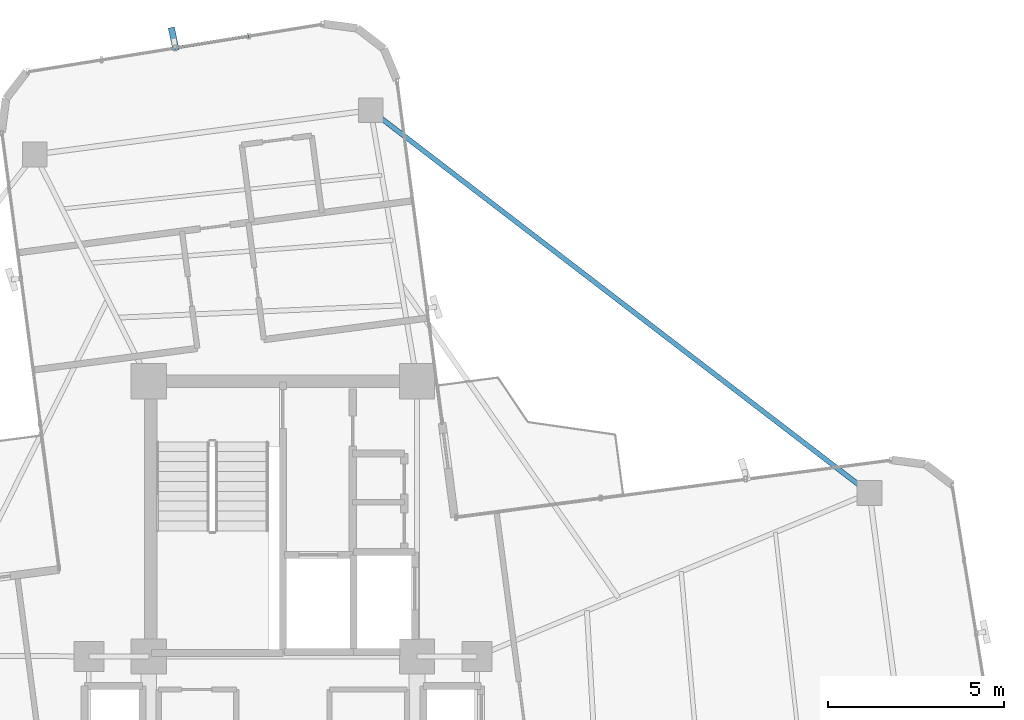
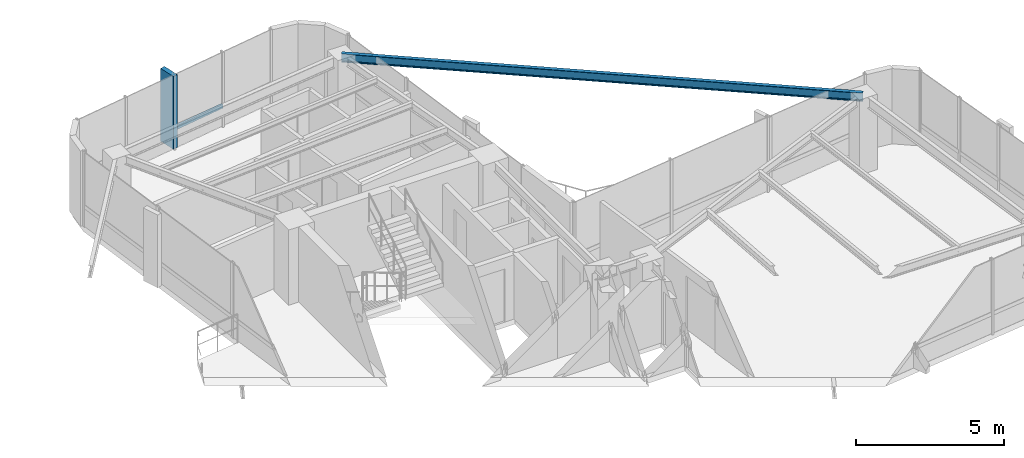
# One storey, part 14 of 21: 2 members, 1 beam, 1 element without a shape of its own.
"""IFC4 building model written with IfcOpenShell, lengths in metres."""

from ifc_helpers import new_model, si_unit, direction, frame, origin, origin_2d, place, context, subcontext, project, spatial, rectangle, hollow_rectangle, i_section, extrude, source, transform, mapped, material, material_profile, profile_set, type_object, element, aggregate, save


model = new_model("IFC4")

# Units and contexts
model_context = context("Model", 3, precision=1e-05, world=origin(), true_north=direction((0.0, 1.0)))
body_context = subcontext(model_context, "Body", "Model", "MODEL_VIEW")
ifc_project = project(units=[si_unit("LENGTHUNIT", "METRE"), si_unit("AREAUNIT", "SQUARE_METRE"), si_unit("VOLUMEUNIT", "CUBIC_METRE"), si_unit("PLANEANGLEUNIT", "RADIAN"), si_unit("MASSUNIT", "GRAM", prefix="KILO")], contexts=[model_context])

# Site, building, storey
site_placement = place(None, origin())
site = spatial("IfcSite", under=ifc_project, at=site_placement, CompositionType="ELEMENT")
building_placement = place(site_placement, origin())
building = spatial("IfcBuilding", under=site, at=building_placement, Name="Sahyath Konkavel Grand Hotel", CompositionType="ELEMENT")
storey_placement = place(building_placement, frame((0.0, 0.0, 213.199951171875)))
storey = spatial("IfcBuildingStorey", under=building, at=storey_placement, Name="L59", CompositionType="ELEMENT", Elevation=213.199951171875)

# Beam
ifc_material_1 = material(Name="Steel E350", Category="steel")
ifc_material_profile_1 = material_profile(ifc_material_1, i_section(OverallWidth=0.139892578125, OverallDepth=0.35009765625, WebThickness=0.008056640625, FlangeThickness=0.01416015625, FilletRadius=0.013916015625, at=origin_2d()), Name="ISMB 350")
ifc_profile_set_1 = profile_set([ifc_material_profile_1], Name="Steel E350")
beam_type = type_object("IfcBeamType", Name="BM-ISMB350", PredefinedType="BEAM", material=ifc_profile_set_1)
shared_shape_1 = source(origin(), body_context, "Body", "SweptSolid", [
    extrude(i_section(OverallWidth=0.139892578125, OverallDepth=0.35009765625, WebThickness=0.008056640625, FlangeThickness=0.01416015625, FilletRadius=0.013916015625, at=origin_2d()), origin(), (0.0, 0.0, 1.0), 17.819091796875),
])
beam_placement = place(storey_placement, frame((16.62451171875, 7.030029296875, 2.93505859375), z_axis=(-0.793348720932, 0.608767449027, 0.0), x_axis=(-0.608767449027, -0.793348720932, 0.0)))
element("IfcBeam", 1, at=beam_placement, inside=storey, type_object=beam_type, Name="L59 Re-Entrant Tie Beam NE", PredefinedType="BEAM", context=body_context, shape_type="MappedRepresentation", body=[
    mapped(shared_shape_1, transform((0.0, 0.0, 0.0), scale=1.0)),
])

# Curtain wall, members
ifc_material_2 = material(Name="Anodised Bronze Aluminium & Low-E Glazing", Category="aluminium")
curtain_wall_type = type_object("IfcCurtainWallType", Name="CW-ZONE4", PredefinedType="NOTDEFINED", material=ifc_material_2)
curtain_wall_placement = place(storey_placement, origin())
curtain_wall = element("IfcCurtainWall", 2, at=curtain_wall_placement, inside=storey, type_object=curtain_wall_type, Name="L59 Unitised Curtain Wall F12", PredefinedType="NOTDEFINED")
ifc_material_3 = material(Name="Warm Buff Sandstone Cladding on Concrete C50/60", Category="masonry")
ifc_material_profile_2 = material_profile(ifc_material_3, rectangle(XDim=0.179931640625, YDim=0.64990234375, at=origin_2d()), Name="FIN 180x650")
ifc_profile_set_2 = profile_set([ifc_material_profile_2], Name="Warm Buff Sandstone Cladding on Concrete C50/60")
member_type_1 = type_object("IfcMemberType", Name="FIN-SANDSTONE-650", PredefinedType="MULLION", material=ifc_profile_set_2)
shared_shape_2 = source(origin(), body_context, "Body", "SweptSolid", [
    extrude(rectangle(XDim=0.179931640625, YDim=0.64990234375, at=origin_2d()), origin(), (0.0, 0.0, 1.0), 3.010009765625),
])
member_1_placement = place(storey_placement, frame((-3.09423828125, 19.90234375, 0.050048828125), z_axis=(0.0, 0.0, 1.0), x_axis=(0.978508985102, 0.206204185397, 0.0)))
member_1 = element("IfcMember", 3, at=member_1_placement, type_object=member_type_1, Name="L59 Sandstone Vertical Solar Fin FIN F12-2", PredefinedType="MULLION", context=body_context, shape_type="MappedRepresentation", body=[
    mapped(shared_shape_2, transform((0.0, 0.0, 0.0), scale=1.0)),
])
ifc_material_4 = material(Name="Anodised Bronze Aluminium", Category="aluminium")
ifc_material_profile_3 = material_profile(ifc_material_4, hollow_rectangle(XDim=0.080078125, YDim=0.159912109375, WallThickness=0.006103515625, at=origin_2d()), Name="RHS 160x80x6")
ifc_profile_set_3 = profile_set([ifc_material_profile_3], Name="Anodised Bronze Aluminium")
member_type_2 = type_object("IfcMemberType", Name="CW-TRN-160", PredefinedType="USERDEFINED", material=ifc_profile_set_3)
shared_shape_3 = source(origin(), body_context, "Body", "SweptSolid", [
    extrude(hollow_rectangle(XDim=0.080078125, YDim=0.159912109375, WallThickness=0.006103515625, at=origin_2d()), origin(), (0.0, 0.0, 1.0), 2.112060546875),
])
member_2_placement = place(storey_placement, frame((-0.9677734375, 19.982177734375, 0.85009765625), z_axis=(-0.98721238085, -0.159410523793, 0.0), x_axis=(0.159410523793, -0.98721238085, 0.0)))
member_2 = element("IfcMember", 4, at=member_2_placement, type_object=member_type_2, Name="L59 Curtain Wall Transom F12-1-spandrel", ObjectType="TRANSOM", PredefinedType="USERDEFINED", context=body_context, shape_type="MappedRepresentation", body=[
    mapped(shared_shape_3, transform((0.0, 0.0, 0.0), scale=1.0)),
])
aggregate(curtain_wall, [member_1, member_2])

save(model, "model.ifc")
